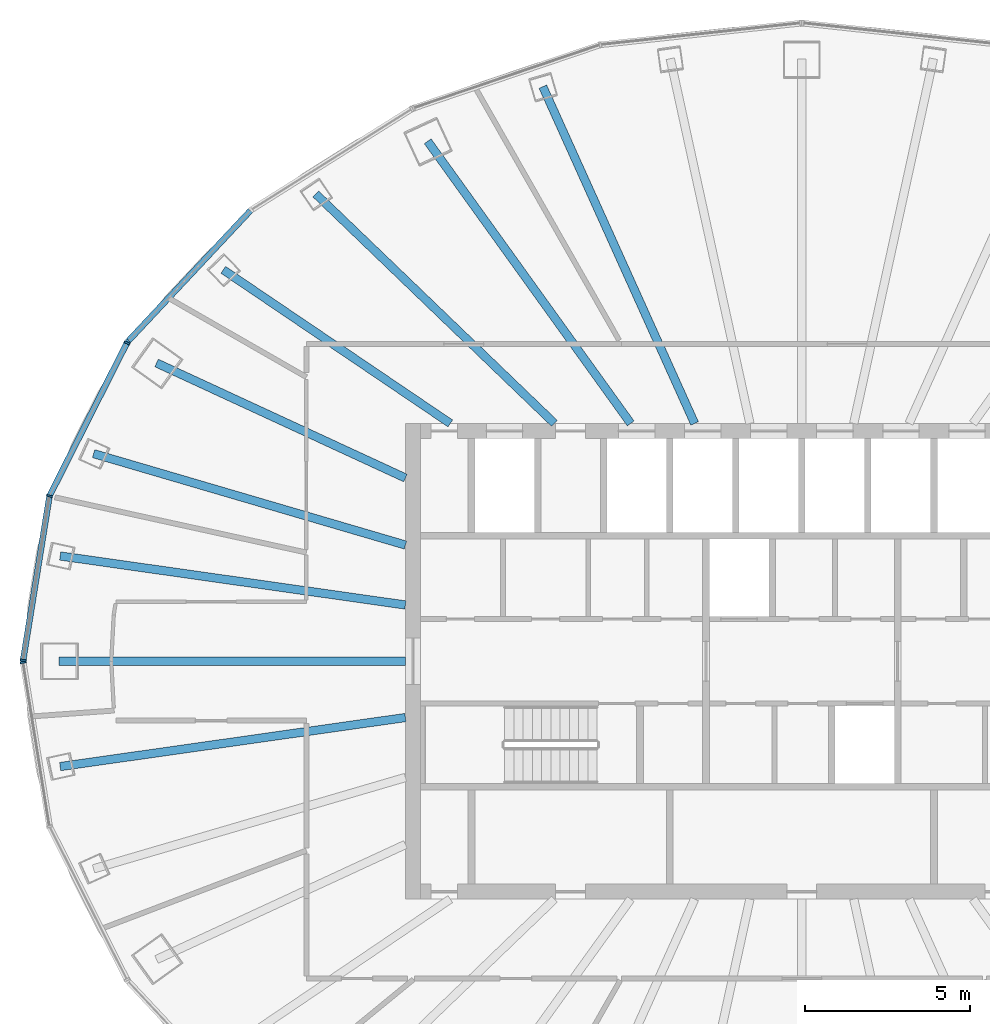
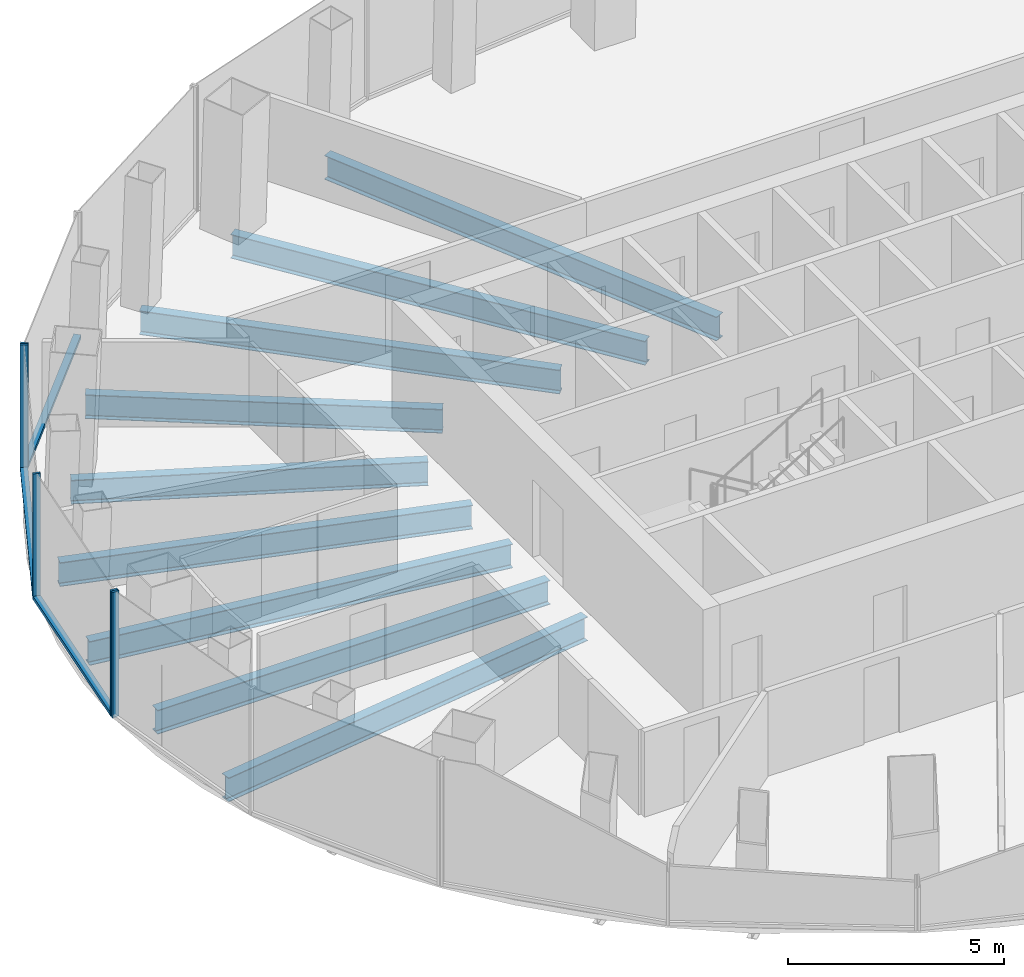
# One storey, part 4 of 13: 9 beams, 8 members, 3 elements without a shape of their own.
"""IFC4 building model written with IfcOpenShell, lengths in metres."""

import ifcopenshell
import ifcopenshell.guid

model = None  # the IFC model being written
_history = None  # IfcOwnerHistory: only IFC2X3 demands one
_inside = {}  # id of a spatial element -> (the spatial element, [elements in it])
_under = {}  # id of a project, library or spatial element -> (it, [spatial elements below it])
_declared = {}  # id of a project -> (the project, [libraries it declares])
_typed = {}  # id of a type object -> (the type object, [elements of that type])
_made_of = {}  # id of a material, layer set ... -> (it, [elements and type objects made of it])


def new_model(schema):
    """Start an empty IFC model of exactly this schema.

    Asked for "IFC4X3", IfcOpenShell would pick the latest addendum, in which some entities
    have other attributes; the version numbers below select the first issue.
    IFC2X3 requires an IfcOwnerHistory on every rooted entity: one is made here for all.
    """
    global model, _history
    if schema == "IFC4X3":
        model = ifcopenshell.file(schema_version=(4, 3, 0, 0))
    else:
        model = ifcopenshell.file(schema=schema)
    _inside.clear()
    _under.clear()
    _declared.clear()
    _typed.clear()
    _made_of.clear()
    _history = None
    if model.schema == "IFC2X3":
        org = make("IfcOrganization", Name="unknown")
        user = make(
            "IfcPersonAndOrganization",
            ThePerson=make("IfcPerson", FamilyName="unknown"),
            TheOrganization=org,
        )
        app = make(
            "IfcApplication",
            ApplicationDeveloper=org,
            Version="unknown",
            ApplicationFullName="unknown",
            ApplicationIdentifier="unknown",
        )
        _history = make(
            "IfcOwnerHistory",
            OwningUser=user,
            OwningApplication=app,
            ChangeAction="ADDED",
            CreationDate=0,
        )
    return model


def make(cls, **values):
    """One entity of the class cls with the attributes given. An attribute that is None is left unset."""
    return model.create_entity(
        cls, **{name: value for name, value in values.items() if value is not None}
    )


def rooted(cls, **values):
    """An entity with a GlobalId (a new one), such as an element, a storey or a relation."""
    return make(cls, GlobalId=ifcopenshell.guid.new(), OwnerHistory=_history, **values)


def si_unit(unit_type, name, prefix=None):
    """IfcSIUnit, for example si_unit("LENGTHUNIT", "METRE", prefix="MILLI")."""
    return make("IfcSIUnit", UnitType=unit_type, Prefix=prefix, Name=name)


def assignment(units):
    """IfcUnitAssignment: the units of a project."""
    return None if units is None else make("IfcUnitAssignment", Units=units)


def point(xyz):
    """IfcCartesianPoint."""
    return None if xyz is None else make("IfcCartesianPoint", Coordinates=xyz)


def direction(xyz):
    """IfcDirection."""
    return None if xyz is None else make("IfcDirection", DirectionRatios=xyz)


def frame(location, z_axis=None, x_axis=None):
    """IfcAxis2Placement3D, a coordinate frame: its origin and axes. An axis left out is left unset."""
    return make(
        "IfcAxis2Placement3D",
        Location=point(location),
        Axis=direction(z_axis),
        RefDirection=direction(x_axis),
    )


def frame_2d(location, x_axis=None):
    """IfcAxis2Placement2D, a coordinate frame in the plane: its origin and x axis."""
    return make(
        "IfcAxis2Placement2D", Location=point(location), RefDirection=direction(x_axis)
    )


def origin():
    """The frame at (0, 0, 0) with its axes left unset."""
    return frame((0.0, 0.0, 0.0))


def origin_2d():
    """The frame at (0, 0) in the plane with its x axis left unset."""
    return frame_2d((0.0, 0.0))


def place(relative_to, where):
    """IfcLocalPlacement: puts the frame where relative to a parent placement (None: the world)."""
    return make(
        "IfcLocalPlacement", PlacementRelTo=relative_to, RelativePlacement=where
    )


def context(
    kind, dimensions, precision=None, world=None, true_north=None, identifier=None
):
    """IfcGeometricRepresentationContext, for example the 3D "Model" context."""
    return make(
        "IfcGeometricRepresentationContext",
        ContextIdentifier=identifier,
        ContextType=kind,
        CoordinateSpaceDimension=dimensions,
        Precision=precision,
        WorldCoordinateSystem=world,
        TrueNorth=true_north,
    )


def subcontext(parent, identifier, kind, view, scale=None):
    """IfcGeometricRepresentationSubContext, for example "Body" below "Model"."""
    return make(
        "IfcGeometricRepresentationSubContext",
        ContextIdentifier=identifier,
        ContextType=kind,
        ParentContext=parent,
        TargetScale=scale,
        TargetView=view,
    )


def project(units=None, contexts=None):
    """IfcProject with its units and contexts."""
    return rooted(
        "IfcProject",
        Name="project",
        RepresentationContexts=contexts,
        UnitsInContext=assignment(units),
    )


def spatial(cls, under=None, at=None, **own):
    """A site, building, storey or space (cls), placed at a placement, below another one or the project."""
    s = rooted(cls, ObjectPlacement=at, **own)
    if under is not None:
        _under.setdefault(under.id(), (under, []))[1].append(s)
    return s


def profile(cls, at=None, kind="AREA", **sizes):
    """A parametric profile (cls). Its sizes go by their IFC names, for example OverallWidth=200.0."""
    return make(cls, ProfileType=kind, Position=at, **sizes)


def rectangle(**sizes):
    """IfcRectangleProfileDef."""
    return profile("IfcRectangleProfileDef", **sizes)


def i_section(**sizes):
    """IfcIShapeProfileDef."""
    return profile("IfcIShapeProfileDef", **sizes)


def extrude(swept, where, along, depth):
    """IfcExtrudedAreaSolid: the profile swept, set in the frame where, extruded along a direction by depth."""
    return make(
        "IfcExtrudedAreaSolid",
        SweptArea=swept,
        Position=where,
        ExtrudedDirection=direction(along),
        Depth=depth,
    )


def shape(context_of_items, identifier, shape_type, items):
    """IfcShapeRepresentation: the items that make up one representation, for example the "Body"."""
    return make(
        "IfcShapeRepresentation",
        ContextOfItems=context_of_items,
        RepresentationIdentifier=identifier,
        RepresentationType=shape_type,
        Items=items,
    )


def material(Name=None, Category=None):
    """IfcMaterial."""
    return make("IfcMaterial", Name=Name, Category=Category)


def layer(
    of_material, thickness, ventilated=None, Name=None, Category=None, Priority=None
):
    """IfcMaterialLayer: one layer of a wall or slab, of a material (None: an air gap)."""
    return make(
        "IfcMaterialLayer",
        Material=of_material,
        LayerThickness=thickness,
        IsVentilated=ventilated,
        Name=Name,
        Category=Category,
        Priority=Priority,
    )


def layer_set(layers, Name=None):
    """IfcMaterialLayerSet."""
    return make("IfcMaterialLayerSet", MaterialLayers=layers, LayerSetName=Name)


def material_profile(
    of_material, cross_section, Name=None, Category=None, Priority=None
):
    """IfcMaterialProfile: a cross section and its material."""
    return make(
        "IfcMaterialProfile",
        Name=Name,
        Material=of_material,
        Profile=cross_section,
        Priority=Priority,
        Category=Category,
    )


def profile_set(profiles, Name=None, composite=None):
    """IfcMaterialProfileSet."""
    return make(
        "IfcMaterialProfileSet",
        Name=Name,
        MaterialProfiles=profiles,
        CompositeProfile=composite,
    )


def made_of(thing, what):
    """Note that an element or type object is made of a material, layer set ...; save() writes the relation."""
    if what is not None:
        _made_of.setdefault(what.id(), (what, []))[1].append(thing)
    return thing


def type_object(cls, material=None, **own):
    """A type object (cls), such as IfcWallType, which elements share."""
    return made_of(rooted(cls, **own), material)


def element(
    cls,
    number,
    at=None,
    inside=None,
    cuts=None,
    type_object=None,
    material=None,
    context=None,
    identifier="Body",
    shape_type=None,
    held_by="IfcProductDefinitionShape",
    body=None,
    shapes=None,
    **own,
):
    """One element of the class cls, such as IfcWall. Its Tag is "e" and its number.

    at: its placement. inside: the storey or other place that contains it. cuts: it is an
    opening in that element (IfcRelVoidsElement). A single representation is given by context,
    identifier, shape_type and body (its items); several are given by shapes. held_by: the class
    of the entity that holds the representations. save() writes the other relations.
    """
    e = rooted(cls, Tag="e%d" % number, ObjectPlacement=at, **own)
    if body is not None:
        shapes = [shape(context, identifier, shape_type, body)]
    if shapes is not None:
        e.Representation = make(held_by, Representations=shapes)
    if inside is not None:
        _inside.setdefault(inside.id(), (inside, []))[1].append(e)
    if cuts is not None:
        rooted(
            "IfcRelVoidsElement", RelatingBuildingElement=cuts, RelatedOpeningElement=e
        )
    if type_object is not None:
        _typed.setdefault(type_object.id(), (type_object, []))[1].append(e)
    return made_of(e, material)


def aggregate(whole, parts):
    """IfcRelAggregates: a whole, such as a stair, and the parts it consists of."""
    return rooted("IfcRelAggregates", RelatingObject=whole, RelatedObjects=parts)


def save(model, path):
    """Write the relations noted so far, then the file.

    IfcRelAggregates (storeys below a building ...), IfcRelContainedInSpatialStructure (elements
    in a storey), IfcRelDefinesByType, IfcRelAssociatesMaterial and IfcRelDeclares: one each for
    every whole, place, type object, material and project.
    """
    for whole, parts in _under.values():
        aggregate(whole, parts)
    for where, things in _inside.values():
        rooted(
            "IfcRelContainedInSpatialStructure",
            RelatedElements=things,
            RelatingStructure=where,
        )
    for kind, things in _typed.values():
        rooted("IfcRelDefinesByType", RelatedObjects=things, RelatingType=kind)
    for what, things in _made_of.values():
        rooted("IfcRelAssociatesMaterial", RelatedObjects=things, RelatingMaterial=what)
    for by, libraries in _declared.values():
        rooted("IfcRelDeclares", RelatingContext=by, RelatedDefinitions=libraries)
    model.write(path)


model = new_model("IFC4")

# Units and contexts
model_context = context("Model", 3, precision=1e-05, world=origin(), true_north=direction((0.0, 1.0)))
body_context = subcontext(model_context, "Body", "Model", "MODEL_VIEW")
ifc_project = project(units=[si_unit("LENGTHUNIT", "METRE"), si_unit("AREAUNIT", "SQUARE_METRE"), si_unit("VOLUMEUNIT", "CUBIC_METRE"), si_unit("PLANEANGLEUNIT", "RADIAN"), si_unit("MASSUNIT", "GRAM", prefix="KILO")], contexts=[model_context])

# Site, building, storey
site_placement = place(None, origin())
site = spatial("IfcSite", under=ifc_project, at=site_placement, CompositionType="ELEMENT")
building_placement = place(site_placement, origin())
building = spatial("IfcBuilding", under=site, at=building_placement, Name="Siaravel Broadcast Tower", CompositionType="ELEMENT")
storey_placement = place(building_placement, frame((0.0, 0.0, 171.89990234375)))
storey = spatial("IfcBuildingStorey", under=building, at=storey_placement, Name="L41", CompositionType="ELEMENT", Elevation=171.89990234375)

# Beams
ifc_material_1 = material(Name="Steel S355", Category="steel")
ifc_material_profile_1 = material_profile(ifc_material_1, i_section(OverallWidth=0.2529296875, OverallDepth=0.677978515625, WebThickness=0.01171875, FlangeThickness=0.01611328125, FilletRadius=0.01513671875, at=origin_2d()))
ifc_profile_set_1 = profile_set([ifc_material_profile_1], Name="Steel S355")
beam_type = type_object("IfcBeamType", Name="BM-UB 686x254x125", PredefinedType="BEAM", material=ifc_profile_set_1)
beam_1_placement = place(storey_placement, frame((-7.840576171875, 17.39306640625, -0.489013671875), z_axis=(0.410964722, -0.911651247, 0.0), x_axis=(0.911651247, 0.410964722, 0.0)))
element("IfcBeam", 1, at=beam_1_placement, inside=storey, type_object=beam_type, Name="Radial beam RB12", PredefinedType="BEAM", context=body_context, shape_type="SweptSolid", body=[
    extrude(i_section(OverallWidth=0.2529296875, OverallDepth=0.677978515625, WebThickness=0.01171875, FlangeThickness=0.01611328125, FilletRadius=0.01513671875, at=origin_2d()), origin(), (0.0, 0.0, 1.0), 11.180908203125),
])
beam_2_placement = place(storey_placement, frame((-11.326171875, 15.74169921875, -0.489013671875), z_axis=(0.584035158, -0.811728362, 0.0), x_axis=(0.811728362, 0.584035158, 0.0)))
element("IfcBeam", 2, at=beam_2_placement, inside=storey, type_object=beam_type, Name="Radial beam RB13", PredefinedType="BEAM", context=body_context, shape_type="SweptSolid", body=[
    extrude(i_section(OverallWidth=0.2529296875, OverallDepth=0.677978515625, WebThickness=0.01171875, FlangeThickness=0.01611328125, FilletRadius=0.01513671875, at=origin_2d()), origin(), (0.0, 0.0, 1.0), 10.52294921875),
])
beam_3_placement = place(storey_placement, frame((-14.7119140625, 14.14453125, -0.489013671875), z_axis=(0.72087052, -0.693069761, 0.0), x_axis=(0.693069761, 0.72087052, 0.0)))
element("IfcBeam", 3, at=beam_3_placement, inside=storey, type_object=beam_type, Name="Radial beam RB14", PredefinedType="BEAM", context=body_context, shape_type="SweptSolid", body=[
    extrude(i_section(OverallWidth=0.2529296875, OverallDepth=0.677978515625, WebThickness=0.01171875, FlangeThickness=0.01611328125, FilletRadius=0.01513671875, at=origin_2d()), origin(), (0.0, 0.0, 1.0), 10.02001953125),
])
beam_4_placement = place(storey_placement, frame((-17.51416015625, 11.849609375, -0.489013671875), z_axis=(0.828232804, -0.560384175, 0.0), x_axis=(0.560384175, 0.828232804, 0.0)))
element("IfcBeam", 4, at=beam_4_placement, inside=storey, type_object=beam_type, Name="Radial beam RB15", PredefinedType="BEAM", context=body_context, shape_type="SweptSolid", body=[
    extrude(i_section(OverallWidth=0.2529296875, OverallDepth=0.677978515625, WebThickness=0.01171875, FlangeThickness=0.01611328125, FilletRadius=0.01513671875, at=origin_2d()), origin(), (0.0, 0.0, 1.0), 8.29736328125),
])
beam_5_placement = place(storey_placement, frame((-19.53271484375, 9.02880859375, -0.489013671875), z_axis=(0.907716412, -0.419584218, 0.0), x_axis=(0.419584218, 0.907716412, 0.0)))
element("IfcBeam", 5, at=beam_5_placement, inside=storey, type_object=beam_type, Name="Radial beam RB16", PredefinedType="BEAM", context=body_context, shape_type="SweptSolid", body=[
    extrude(i_section(OverallWidth=0.2529296875, OverallDepth=0.677978515625, WebThickness=0.01171875, FlangeThickness=0.01611328125, FilletRadius=0.01513671875, at=origin_2d()), origin(), (0.0, 0.0, 1.0), 8.298583984375),
])
beam_6_placement = place(storey_placement, frame((-21.438720703125, 6.28466796875, -0.489013671875), z_axis=(0.959619649, -0.281300781, 0.0), x_axis=(0.281300781, 0.959619649, 0.0)))
element("IfcBeam", 6, at=beam_6_placement, inside=storey, type_object=beam_type, Name="Radial beam RB17", PredefinedType="BEAM", context=body_context, shape_type="SweptSolid", body=[
    extrude(i_section(OverallWidth=0.2529296875, OverallDepth=0.677978515625, WebThickness=0.01171875, FlangeThickness=0.01611328125, FilletRadius=0.01513671875, at=origin_2d()), origin(), (0.0, 0.0, 1.0), 9.8359375),
])
beam_7_placement = place(storey_placement, frame((-22.4521484375, 3.1875, -0.489013671875), z_axis=(0.99007215, -0.140560089, 0.0), x_axis=(0.140560089, 0.99007215, 0.0)))
element("IfcBeam", 7, at=beam_7_placement, inside=storey, type_object=beam_type, Name="Radial beam RB18", PredefinedType="BEAM", context=body_context, shape_type="SweptSolid", body=[
    extrude(i_section(OverallWidth=0.2529296875, OverallDepth=0.677978515625, WebThickness=0.01171875, FlangeThickness=0.01611328125, FilletRadius=0.01513671875, at=origin_2d()), origin(), (0.0, 0.0, 1.0), 10.556884765625),
])
beam_8_placement = place(storey_placement, frame((-22.49267578125, 0.0, -0.489013671875), z_axis=(1.0, 0.0, 0.0), x_axis=(0.0, 1.0, 0.0)))
element("IfcBeam", 8, at=beam_8_placement, inside=storey, type_object=beam_type, Name="Radial beam RB19", PredefinedType="BEAM", context=body_context, shape_type="SweptSolid", body=[
    extrude(i_section(OverallWidth=0.2529296875, OverallDepth=0.677978515625, WebThickness=0.01171875, FlangeThickness=0.01611328125, FilletRadius=0.01513671875, at=origin_2d()), origin(), (0.0, 0.0, 1.0), 10.49267578125),
])
beam_9_placement = place(storey_placement, frame((-22.4521484375, -3.1875, -0.489013671875), z_axis=(0.99007215, 0.140560089, 0.0), x_axis=(-0.140560089, 0.99007215, 0.0)))
element("IfcBeam", 9, at=beam_9_placement, inside=storey, type_object=beam_type, Name="Radial beam RB20", PredefinedType="BEAM", context=body_context, shape_type="SweptSolid", body=[
    extrude(i_section(OverallWidth=0.2529296875, OverallDepth=0.677978515625, WebThickness=0.01171875, FlangeThickness=0.01611328125, FilletRadius=0.01513671875, at=origin_2d()), origin(), (0.0, 0.0, 1.0), 10.556884765625),
])

# Curtain wall, member
ifc_material_2 = material(Name="Aluminium 6063-T6", Category="aluminium")
ifc_layer = layer(ifc_material_2, 0.179931640625)
ifc_layer_set = layer_set([ifc_layer], Name="Aluminium 6063-T6")
curtain_wall_type = type_object("IfcCurtainWallType", Name="Unitised curtain wall, zone 3", PredefinedType="NOTDEFINED", material=ifc_layer_set)
curtain_wall_1_placement = place(storey_placement, origin())
curtain_wall_1 = element("IfcCurtainWall", 10, at=curtain_wall_1_placement, inside=storey, type_object=curtain_wall_type, Name="L41 Unitised curtain wall, zone 3 05", PredefinedType="NOTDEFINED")
ifc_material_profile_2 = material_profile(ifc_material_2, rectangle(XDim=0.179931640625, YDim=0.06005859375, at=origin_2d()))
ifc_profile_set_2 = profile_set([ifc_material_profile_2], Name="Aluminium 6063-T6")
member_type_1 = type_object("IfcMemberType", Name="CW-Z3 mullion", PredefinedType="MULLION", material=ifc_profile_set_2)
member_1_placement = place(storey_placement, frame((-20.396728515625, 9.68701171875, 0.0), z_axis=(0.0, 0.0, 1.0), x_axis=(0.729804878, -0.683655498, 0.0)))
member_1 = element("IfcMember", 11, at=member_1_placement, type_object=member_type_1, Name="CW-Z3 mullion 3", PredefinedType="MULLION", context=body_context, shape_type="SweptSolid", body=[
    extrude(rectangle(XDim=0.179931640625, YDim=0.06005859375, at=origin_2d()), origin(), (0.0, 0.0, 1.0), 3.550048828125),
])

# Curtain wall, members
curtain_wall_2_placement = place(storey_placement, origin())
curtain_wall_2 = element("IfcCurtainWall", 12, at=curtain_wall_2_placement, inside=storey, type_object=curtain_wall_type, Name="L41 Unitised curtain wall, zone 3 06", PredefinedType="NOTDEFINED")
member_2_placement = place(storey_placement, frame((-20.430908203125, 9.63818359375, 0.0), z_axis=(0.0, 0.0, 1.0), x_axis=(0.892391915, -0.4512612, 0.0)))
member_2 = element("IfcMember", 13, at=member_2_placement, type_object=member_type_1, Name="CW-Z3 mullion 1", PredefinedType="MULLION", context=body_context, shape_type="SweptSolid", body=[
    extrude(rectangle(XDim=0.179931640625, YDim=0.06005859375, at=origin_2d()), origin(), (0.0, 0.0, 1.0), 3.550048828125),
])
member_3_placement = place(storey_placement, frame((-22.7744140625, 5.003662109375, 0.0), z_axis=(0.0, 0.0, 1.0), x_axis=(0.951177137, -0.308645515, 0.0)))
member_3 = element("IfcMember", 14, at=member_3_placement, type_object=member_type_1, Name="CW-Z3 mullion 2", PredefinedType="MULLION", context=body_context, shape_type="SweptSolid", body=[
    extrude(rectangle(XDim=0.179931640625, YDim=0.06005859375, at=origin_2d()), origin(), (0.0, 0.0, 1.0), 3.550048828125),
])
member_4_placement = place(storey_placement, frame((-23.573974609375, 0.029541015625, 0.0), z_axis=(0.0, 0.0, 1.0), x_axis=(0.98732916, -0.15868563, 0.0)))
member_4 = element("IfcMember", 15, at=member_4_placement, type_object=member_type_1, Name="CW-Z3 mullion 3", PredefinedType="MULLION", context=body_context, shape_type="SweptSolid", body=[
    extrude(rectangle(XDim=0.179931640625, YDim=0.06005859375, at=origin_2d()), origin(), (0.0, 0.0, 1.0), 3.550048828125),
])

# Curtain wall, member
curtain_wall_3_placement = place(storey_placement, origin())
curtain_wall_3 = element("IfcCurtainWall", 16, at=curtain_wall_3_placement, inside=storey, type_object=curtain_wall_type, Name="L41 Unitised curtain wall, zone 3 07", PredefinedType="NOTDEFINED")
member_5_placement = place(storey_placement, frame((-23.573974609375, -0.029541015625, 0.0), z_axis=(0.0, 0.0, 1.0), x_axis=(0.98732916, 0.15868563, 0.0)))
member_5 = element("IfcMember", 17, at=member_5_placement, type_object=member_type_1, Name="CW-Z3 mullion 1", PredefinedType="MULLION", context=body_context, shape_type="SweptSolid", body=[
    extrude(rectangle(XDim=0.179931640625, YDim=0.06005859375, at=origin_2d()), origin(), (0.0, 0.0, 1.0), 3.550048828125),
])
aggregate(curtain_wall_3, [member_5])

# Member
ifc_material_profile_3 = material_profile(ifc_material_2, rectangle(XDim=0.179931640625, YDim=0.10009765625, at=origin_2d()))
ifc_profile_set_3 = profile_set([ifc_material_profile_3], Name="Aluminium 6063-T6")
member_type_2 = type_object("IfcMemberType", Name="CW-Z3 transom", PredefinedType="USERDEFINED", material=ifc_profile_set_3)
member_6_placement = place(storey_placement, frame((-16.689453125, 13.64453125, 0.050048828125), z_axis=(-0.683663984, -0.729796929, 0.0), x_axis=(0.729796929, -0.683663984, 0.0)))
member_6 = element("IfcMember", 18, at=member_6_placement, type_object=member_type_2, Name="CW-Z3 transom 2", ObjectType="TRANSOM", PredefinedType="USERDEFINED", context=body_context, shape_type="SweptSolid", body=[
    extrude(rectangle(XDim=0.179931640625, YDim=0.10009765625, at=origin_2d()), origin(), (0.0, 0.0, 1.0), 5.392578125),
])

aggregate(curtain_wall_1, [member_1, member_6])

member_7_placement = place(storey_placement, frame((-20.4443359375, 9.611572265625, 0.050048828125), z_axis=(-0.451279947, -0.892382435, 0.0), x_axis=(0.892382435, -0.451279947, 0.0)))
member_7 = element("IfcMember", 19, at=member_7_placement, type_object=member_type_2, Name="CW-Z3 transom 1", ObjectType="TRANSOM", PredefinedType="USERDEFINED", context=body_context, shape_type="SweptSolid", body=[
    extrude(rectangle(XDim=0.179931640625, YDim=0.10009765625, at=origin_2d()), origin(), (0.0, 0.0, 1.0), 5.133544921875),
])

member_8_placement = place(storey_placement, frame((-22.779296875, 4.97412109375, 0.050048828125), z_axis=(-0.158654191, -0.987334213, 0.0), x_axis=(0.987334213, -0.158654191, 0.0)))
member_8 = element("IfcMember", 20, at=member_8_placement, type_object=member_type_2, Name="CW-Z3 transom 2", ObjectType="TRANSOM", PredefinedType="USERDEFINED", context=body_context, shape_type="SweptSolid", body=[
    extrude(rectangle(XDim=0.179931640625, YDim=0.10009765625, at=origin_2d()), origin(), (0.0, 0.0, 1.0), 4.97802734375),
])

aggregate(curtain_wall_2, [member_2, member_3, member_4, member_7, member_8])

save(model, "model.ifc")
